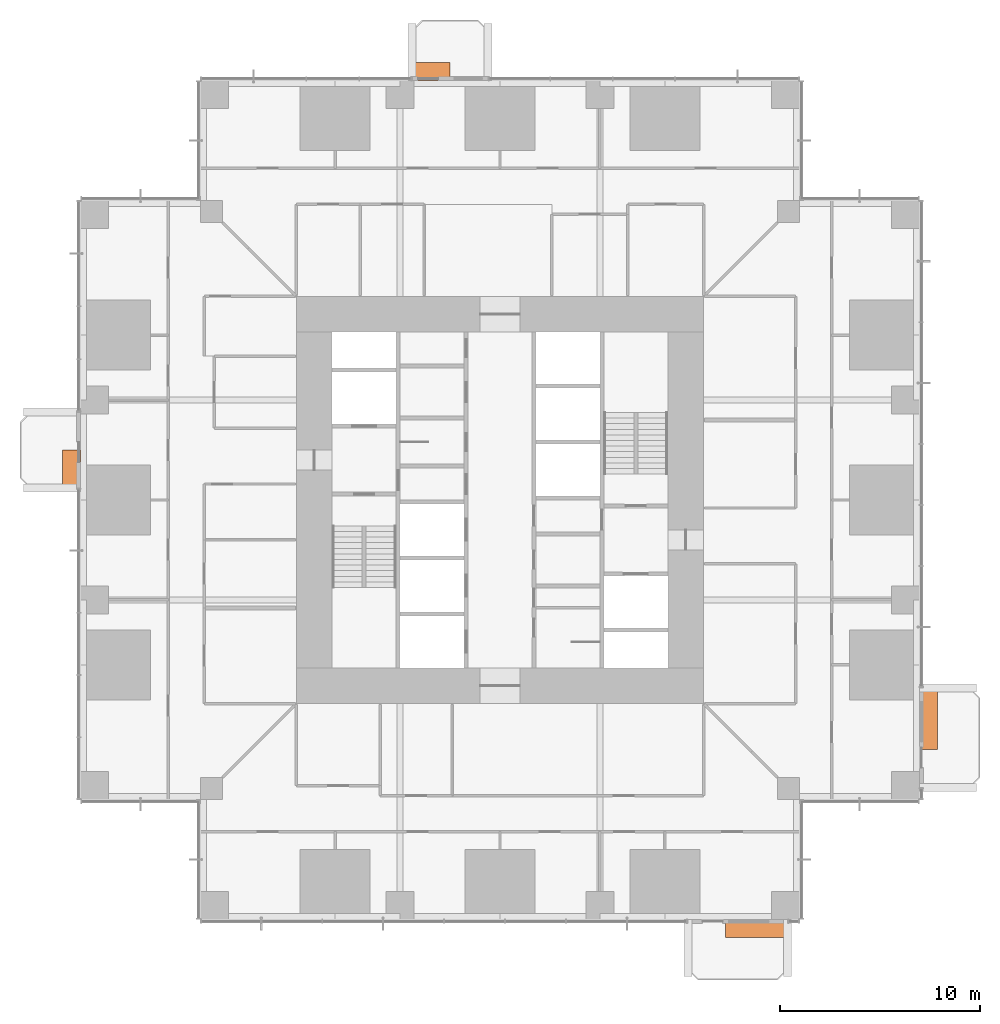
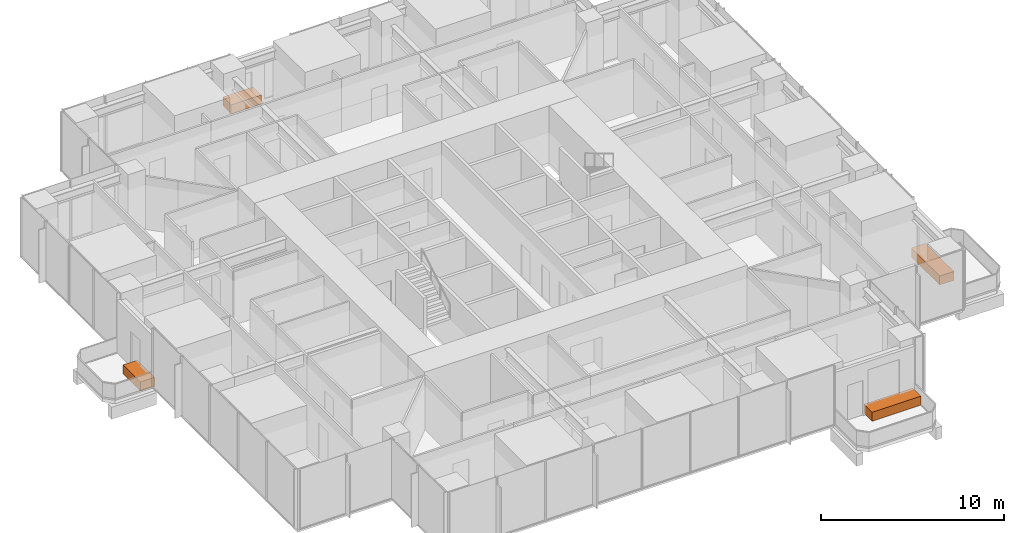
# One storey, part 17 of 17: 4 proxies.
"""IFC4 building model written with IfcOpenShell, lengths in metres."""

from ifc_helpers import new_model, si_unit, direction, frame, origin, origin_2d, place, context, subcontext, project, spatial, rectangle, extrude, element, save


model = new_model("IFC4")

# Units and contexts
model_context = context("Model", 3, precision=1e-05, world=origin(), true_north=direction((0.0, 1.0)))
body_context = subcontext(model_context, "Body", "Model", "MODEL_VIEW")
ifc_project = project(units=[si_unit("LENGTHUNIT", "METRE"), si_unit("AREAUNIT", "SQUARE_METRE"), si_unit("VOLUMEUNIT", "CUBIC_METRE"), si_unit("PLANEANGLEUNIT", "RADIAN"), si_unit("MASSUNIT", "GRAM", prefix="KILO")], contexts=[model_context])

# Site, building, storey
site_placement = place(None, origin())
site = spatial("IfcSite", under=ifc_project, at=site_placement, CompositionType="ELEMENT")
building_placement = place(site_placement, origin())
building = spatial("IfcBuilding", under=site, at=building_placement, Name="Svetlomir Tower", CompositionType="ELEMENT")
storey_placement = place(building_placement, frame((0.0, 0.0, 82.5)))
storey = spatial("IfcBuildingStorey", under=building, at=storey_placement, Name="L19", CompositionType="ELEMENT", Elevation=82.5)

# Proxies
proxy_1_placement = place(storey_placement, frame((33.85009765625, -0.449951171875, 0.0400390625), z_axis=(0.0, 0.0, 1.0), x_axis=(1.0, 0.0, 0.0)))
element("IfcBuildingElementProxy", 1, at=proxy_1_placement, inside=storey, Name="Tree planter S L19", ObjectType="PLANTER", PredefinedType="USERDEFINED", context=body_context, shape_type="SweptSolid", body=[
    extrude(rectangle(XDim=3.10009765625, YDim=0.89990234375, at=origin_2d()), origin(), (0.0, 0.0, 1.0), 0.60009765625),
])
proxy_2_placement = place(storey_placement, frame((42.449951171875, 10.050048828125, 0.0400390625), z_axis=(0.0, 0.0, 1.0), x_axis=(1.0, 0.0, 0.0)))
element("IfcBuildingElementProxy", 2, at=proxy_2_placement, inside=storey, Name="Tree planter E L19", ObjectType="PLANTER", PredefinedType="USERDEFINED", context=body_context, shape_type="SweptSolid", body=[
    extrude(rectangle(XDim=0.89990234375, YDim=3.10009765625, at=origin_2d()), origin(), (0.0, 0.0, 1.0), 0.60009765625),
])
proxy_3_placement = place(storey_placement, frame((17.550048828125, 42.449951171875, 0.0400390625), z_axis=(0.0, 0.0, 1.0), x_axis=(1.0, 0.0, 0.0)))
element("IfcBuildingElementProxy", 3, at=proxy_3_placement, inside=storey, Name="Tree planter N L19", ObjectType="PLANTER", PredefinedType="USERDEFINED", context=body_context, shape_type="SweptSolid", body=[
    extrude(rectangle(XDim=1.89990234375, YDim=0.89990234375, at=origin_2d()), origin(), (0.0, 0.0, 1.0), 0.60009765625),
])
proxy_4_placement = place(storey_placement, frame((-0.449951171875, 22.550048828125, 0.0400390625), z_axis=(0.0, 0.0, 1.0), x_axis=(1.0, 0.0, 0.0)))
element("IfcBuildingElementProxy", 4, at=proxy_4_placement, inside=storey, Name="Tree planter W L19", ObjectType="PLANTER", PredefinedType="USERDEFINED", context=body_context, shape_type="SweptSolid", body=[
    extrude(rectangle(XDim=0.89990234375, YDim=1.89990234375, at=origin_2d()), origin(), (0.0, 0.0, 1.0), 0.60009765625),
])

save(model, "model.ifc")
